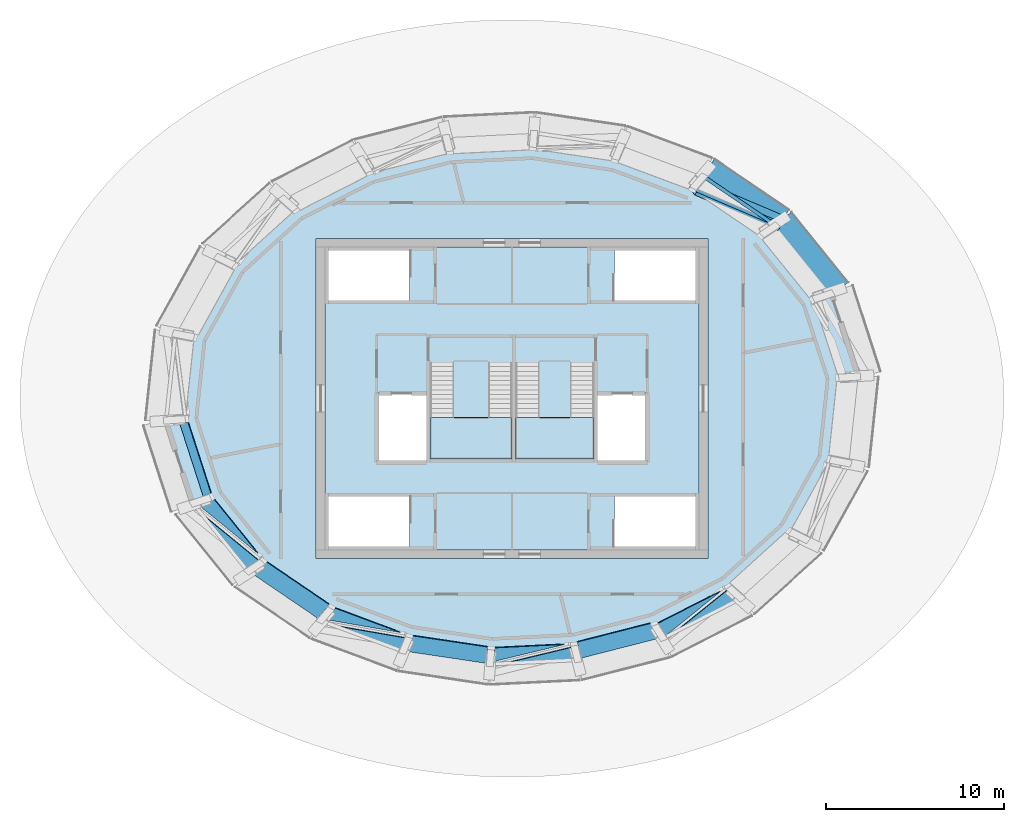
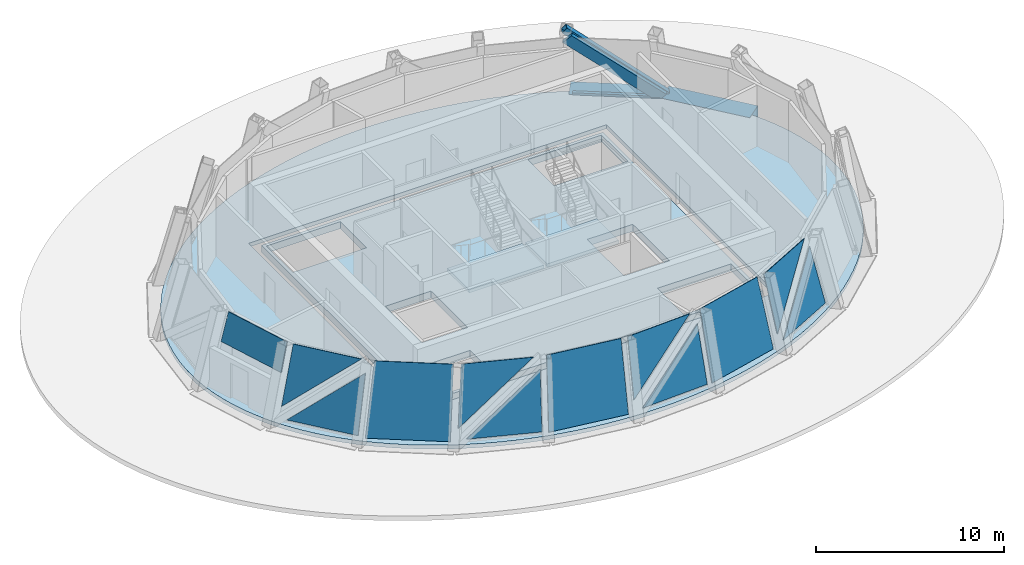
# One storey, part 3 of 9: 12 plates, 4 slabs, 3 members, 2 beams, 3 elements without a shape of their own.
"""IFC4 building model written with IfcOpenShell, lengths in metres."""

from ifc_helpers import new_model, si_unit, direction, frame, origin, origin_2d, place, context, subcontext, project, spatial, polyline, rectangle, hollow_rectangle, outline, extrude, source, transform, mapped, material, layer, layer_set, material_profile, profile_set, type_object, element, aggregate, save


model = new_model("IFC4")

# Units and contexts
model_context = context("Model", 3, precision=1e-05, world=origin(), true_north=direction((0.0, 1.0)))
body_context = subcontext(model_context, "Body", "Model", "MODEL_VIEW")
ifc_project = project(units=[si_unit("LENGTHUNIT", "METRE"), si_unit("AREAUNIT", "SQUARE_METRE"), si_unit("VOLUMEUNIT", "CUBIC_METRE"), si_unit("PLANEANGLEUNIT", "RADIAN"), si_unit("MASSUNIT", "GRAM", prefix="KILO")], contexts=[model_context])

# Site, building, storey
site_placement = place(None, origin())
site = spatial("IfcSite", under=ifc_project, at=site_placement, CompositionType="ELEMENT")
building_placement = place(site_placement, origin())
building = spatial("IfcBuilding", under=site, at=building_placement, Name="Embergate Tower", CompositionType="ELEMENT")
storey_placement = place(building_placement, frame((0.0, 0.0, 352.0)))
storey = spatial("IfcBuildingStorey", under=building, at=storey_placement, Name="L80", CompositionType="ELEMENT", Elevation=352.0)

# Beams
ifc_material_1 = material(Name="Concrete C70", Category="concrete")
ifc_material_profile_1 = material_profile(ifc_material_1, rectangle(XDim=1.199951171875, YDim=1.5, at=origin_2d()), Name="RC 1200x1500")
ifc_profile_set_1 = profile_set([ifc_material_profile_1], Name="Concrete C70")
beam_type = type_object("IfcBeamType", Name="Crown cornice beam RC 1200x1500", PredefinedType="BEAM", material=ifc_profile_set_1)
shared_shape_1 = source(origin(), body_context, "Body", "SweptSolid", [
    extrude(rectangle(XDim=1.199951171875, YDim=1.5, at=origin_2d()), origin(), (0.0, 0.0, 1.0), 5.083740234375),
])
beam_1_placement = place(storey_placement, frame((18.406005859375, 6.12890625, -0.75), z_axis=(-0.628290157372, 0.777979098787, 0.0), x_axis=(-0.777979098787, -0.628290157372, 0.0)))
element("IfcBeam", 1, at=beam_1_placement, inside=storey, type_object=beam_type, Name="CRN-L80-RB01", PredefinedType="BEAM", context=body_context, shape_type="MappedRepresentation", body=[
    mapped(shared_shape_1, transform((0.0, 0.0, 0.0))),
])
shared_shape_2 = source(origin(), body_context, "Body", "SweptSolid", [
    extrude(rectangle(XDim=1.199951171875, YDim=1.5, at=origin_2d()), origin(), (0.0, 0.0, 1.0), 5.072998046875),
])
beam_2_placement = place(storey_placement, frame((15.2119140625, 10.083984375, -0.75), z_axis=(-0.826876373411, 0.562383732958, 0.0), x_axis=(-0.562383732958, -0.826876373411, 0.0)))
element("IfcBeam", 2, at=beam_2_placement, inside=storey, type_object=beam_type, Name="CRN-L80-RB02", PredefinedType="BEAM", context=body_context, shape_type="MappedRepresentation", body=[
    mapped(shared_shape_2, transform((0.0, 0.0, 0.0))),
])

# Member
ifc_material_2 = material(Name="Steel Q355D", Category="steel")
ifc_material_profile_2 = material_profile(ifc_material_2, hollow_rectangle(XDim=0.39990234375, YDim=0.39990234375, WallThickness=0.02197265625, at=origin_2d()), Name="BOX 400x400x22")
ifc_profile_set_2 = profile_set([ifc_material_profile_2], Name="Steel Q355 grade D")
member_type_1 = type_object("IfcMemberType", Name="Glass point brace BOX 400x400x22", PredefinedType="BRACE", material=ifc_profile_set_2)
shared_shape_3 = source(origin(), body_context, "Body", "SweptSolid", [
    extrude(hollow_rectangle(XDim=0.39990234375, YDim=0.39990234375, WallThickness=0.02197265625, at=origin_2d()), origin(), (0.0, 0.0, 1.0), 7.2421875),
])
member_1_placement = place(storey_placement, frame((15.31689453125, 10.0390625, -0.096923828125), z_axis=(-0.701289101078, 0.296858713844, 0.648126917143), x_axis=(-0.389817608107, -0.920892085106, 0.0)))
element("IfcMember", 3, at=member_1_placement, inside=storey, type_object=member_type_1, Name="CRN-L80-DG02", PredefinedType="BRACE", context=body_context, shape_type="MappedRepresentation", body=[
    mapped(shared_shape_3, transform((0.0, 0.0, 0.0))),
])

# Curtain wall, members
ifc_material_3 = material(Name="Aluminium and glass", Category="aluminium")
curtain_wall_type = type_object("IfcCurtainWallType", Name="Crown facet glazing", PredefinedType="NOTDEFINED", material=ifc_material_3)
curtain_wall_placement = place(storey_placement, origin())
curtain_wall = element("IfcCurtainWall", 4, at=curtain_wall_placement, inside=storey, type_object=curtain_wall_type, Name="Crown facet glazing L80", ObjectType="CROWN FACET GLAZING", PredefinedType="USERDEFINED")
ifc_material_4 = material(Name="Aluminium, thermally broken", Category="aluminium")
ifc_material_profile_3 = material_profile(ifc_material_4, rectangle(XDim=0.199951171875, YDim=0.139892578125, at=origin_2d()), Name="AL 140x200")
ifc_profile_set_3 = profile_set([ifc_material_profile_3], Name="Aluminium, thermally broken")
member_type_2 = type_object("IfcMemberType", Name="Crown facet transom", PredefinedType="USERDEFINED", material=ifc_profile_set_3)
shared_shape_4 = source(origin(), body_context, "Body", "SweptSolid", [
    extrude(rectangle(XDim=0.199951171875, YDim=0.139892578125, at=origin_2d()), origin(), (0.0, 0.0, 1.0), 4.660400390625),
])
member_2_placement = place(storey_placement, frame((14.73486328125, 9.7685546875, 0.070068359375), z_axis=(-0.826897270808, 0.562353006153, 0.0), x_axis=(-0.562353006153, -0.826897270808, 0.0)))
member_2 = element("IfcMember", 5, at=member_2_placement, type_object=member_type_2, Name="CW transom 3.1", ObjectType="TRANSOM", PredefinedType="USERDEFINED", context=body_context, shape_type="MappedRepresentation", body=[
    mapped(shared_shape_4, transform((0.0, 0.0, 0.0))),
])
ifc_material_profile_4 = material_profile(ifc_material_4, rectangle(XDim=0.199951171875, YDim=0.760009765625, at=origin_2d()), Name="AL 760x200")
ifc_profile_set_4 = profile_set([ifc_material_profile_4], Name="Aluminium, thermally broken")
member_type_3 = type_object("IfcMemberType", Name="Crown diagonal cover mullion", PredefinedType="MULLION", material=ifc_profile_set_4)
shared_shape_5 = source(origin(), body_context, "Body", "SweptSolid", [
    extrude(rectangle(XDim=0.199951171875, YDim=0.760009765625, at=origin_2d()), origin(), (0.0, 0.0, 1.0), 6.618896484375),
])
member_3_placement = place(storey_placement, frame((14.830078125, 9.701904296875, 0.076904296875), z_axis=(-0.706515901172, 0.302576482057, 0.639752103473), x_axis=(0.547978548487, 0.805946721975, 0.223985248926)))
member_3 = element("IfcMember", 6, at=member_3_placement, type_object=member_type_3, Name="CW diagonal mullion 3", PredefinedType="MULLION", context=body_context, shape_type="MappedRepresentation", body=[
    mapped(shared_shape_5, transform((0.0, 0.0, 0.0))),
])

# Slab
ifc_material_5 = material(Name="Concrete C50", Category="concrete")
ifc_layer_1 = layer(ifc_material_5, 0.25)
ifc_layer_set_1 = layer_set([ifc_layer_1], Name="Concrete C50")
slab_type_1 = type_object("IfcSlabType", Name="Crown floor slab C50 250", PredefinedType="FLOOR", material=ifc_layer_set_1)
shared_shape_6 = source(origin(), body_context, "Body", "SweptSolid", [
    extrude(outline(polyline([(0.0, 0.0), (0.8359375, 0.0), (1.669921875, 0.028076171875), (2.5048828125, 0.08203125), (3.3359375, 0.1640625), (4.161865234375, 0.27294921875), (4.989013671875, 0.409912109375), (5.807861328125, 0.573974609375), (6.616943359375, 0.764892578125), (7.427978515625, 0.986083984375), (8.224853515625, 1.235107421875), (9.008056640625, 1.509033203125), (9.7919921875, 1.818115234375), (10.556884765625, 2.152099609375), (11.302001953125, 2.512939453125), (12.0458984375, 2.909912109375), (12.765869140625, 3.3330078125), (13.4599609375, 3.781005859375), (14.14892578125, 4.27099609375), (14.807861328125, 4.783935546875), (15.432861328125, 5.322021484375), (16.0478515625, 5.903076171875), (16.6240234375, 6.507080078125), (17.159912109375, 7.133056640625), (17.675048828125, 7.803955078125), (18.14501953125, 8.493896484375), (18.56689453125, 9.201904296875), (18.955078125, 9.950927734375), (19.2900390625, 10.715087890625), (19.572021484375, 11.491943359375), (19.804931640625, 12.299072265625), (19.97998046875, 13.114990234375), (20.097900390625, 13.93701171875), (20.157958984375, 14.77001953125), (20.157958984375, 15.60400390625), (20.097900390625, 16.43701171875), (19.97998046875, 17.259033203125), (19.804931640625, 18.074951171875), (19.572021484375, 18.882080078125), (19.2900390625, 19.658935546875), (18.955078125, 20.423095703125), (18.56689453125, 21.172119140625), (18.14501953125, 21.880126953125), (17.675048828125, 22.570068359375), (17.159912109375, 23.240966796875), (16.6240234375, 23.866943359375), (16.0478515625, 24.470947265625), (15.432861328125, 25.052001953125), (14.807861328125, 25.590087890625), (14.14892578125, 26.10302734375), (13.4599609375, 26.593017578125), (12.765869140625, 27.041015625), (12.0458984375, 27.464111328125), (11.302001953125, 27.861083984375), (10.556884765625, 28.221923828125), (9.7919921875, 28.555908203125), (9.008056640625, 28.864990234375), (8.224853515625, 29.138916015625), (7.427978515625, 29.387939453125), (6.616943359375, 29.609130859375), (5.807861328125, 29.800048828125), (4.989013671875, 29.964111328125), (4.161865234375, 30.10107421875), (3.3359375, 30.2099609375), (2.5048828125, 30.2919921875), (1.669921875, 30.345947265625), (0.8359375, 30.3740234375), (0.0, 30.3740234375), (-0.833984375, 30.345947265625), (-1.6689453125, 30.2919921875), (-2.5, 30.2099609375), (-3.325927734375, 30.10107421875), (-4.153076171875, 29.964111328125), (-4.971923828125, 29.800048828125), (-5.781005859375, 29.609130859375), (-6.592041015625, 29.387939453125), (-7.388916015625, 29.138916015625), (-8.172119140625, 28.864990234375), (-8.9560546875, 28.555908203125), (-9.720947265625, 28.221923828125), (-10.466064453125, 27.861083984375), (-11.2099609375, 27.464111328125), (-11.929931640625, 27.041015625), (-12.6240234375, 26.593017578125), (-13.31298828125, 26.10302734375), (-13.971923828125, 25.590087890625), (-14.596923828125, 25.052001953125), (-15.2119140625, 24.470947265625), (-15.7880859375, 23.866943359375), (-16.323974609375, 23.240966796875), (-16.839111328125, 22.570068359375), (-17.30908203125, 21.880126953125), (-17.73095703125, 21.172119140625), (-18.119140625, 20.423095703125), (-18.4541015625, 19.658935546875), (-18.736083984375, 18.882080078125), (-18.968994140625, 18.074951171875), (-19.14404296875, 17.259033203125), (-19.261962890625, 16.43701171875), (-19.322021484375, 15.60400390625), (-19.322021484375, 14.77001953125), (-19.261962890625, 13.93701171875), (-19.14404296875, 13.114990234375), (-18.968994140625, 12.299072265625), (-18.736083984375, 11.491943359375), (-18.4541015625, 10.715087890625), (-18.119140625, 9.950927734375), (-17.73095703125, 9.201904296875), (-17.30908203125, 8.493896484375), (-16.839111328125, 7.803955078125), (-16.323974609375, 7.133056640625), (-15.7880859375, 6.507080078125), (-15.2119140625, 5.903076171875), (-14.596923828125, 5.322021484375), (-13.971923828125, 4.783935546875), (-13.31298828125, 4.27099609375), (-12.6240234375, 3.781005859375), (-11.929931640625, 3.3330078125), (-11.2099609375, 2.909912109375), (-10.466064453125, 2.512939453125), (-9.720947265625, 2.152099609375), (-8.9560546875, 1.818115234375), (-8.172119140625, 1.509033203125), (-7.388916015625, 1.235107421875), (-6.592041015625, 0.986083984375), (-5.781005859375, 0.764892578125), (-4.971923828125, 0.573974609375), (-4.153076171875, 0.409912109375), (-3.325927734375, 0.27294921875), (-2.5, 0.1640625), (-1.6689453125, 0.08203125), (-0.833984375, 0.028076171875), (0.0, 0.0)]), holes=[polyline([(-10.58203125, 6.18701171875), (-10.58203125, 24.18701171875), (11.41796875, 24.18701171875), (11.41796875, 6.18701171875), (-10.58203125, 6.18701171875)])]), origin(), (0.0, 0.0, 1.0), 0.25),
])
slab_1_placement = place(storey_placement, frame((-0.41796875, -15.18701171875, -0.25)))
element("IfcSlab", 7, at=slab_1_placement, inside=storey, type_object=slab_type_1, Name="SLB-L80-00", PredefinedType="FLOOR", context=body_context, shape_type="MappedRepresentation", body=[
    mapped(shared_shape_6, transform((0.0, 0.0, 0.0))),
])

# Plate
ifc_material_6 = material(Name="Triple glazing, low-emissivity coating", Category="glass")
ifc_layer_2 = layer(ifc_material_6, 0.0400390625)
ifc_layer_set_2 = layer_set([ifc_layer_2], Name="Triple glazing, low-emissivity coating")
plate_type = type_object("IfcPlateType", Name="Crown facet glazing unit", PredefinedType="CURTAIN_PANEL", material=ifc_layer_set_2)
shared_shape_7 = source(origin(), body_context, "Body", "SweptSolid", [
    extrude(outline(polyline([(0.0, 0.0), (1.813232421875, 0.0), (1.8232421875, 4.194091796875), (0.0107421875, 4.315673828125), (0.0, 0.0)])), origin(), (0.0, 0.0, -1.0), 0.0400390625),
])
plate_1_placement = place(storey_placement, frame((-17.351806640625, -5.478759765625, 2.60009765625), z_axis=(-0.92008218789, -0.297282492634, 0.255091918925), x_axis=(0.241971760647, 0.080791829384, 0.96691382623)))
plate_1 = element("IfcPlate", 8, at=plate_1_placement, type_object=plate_type, Name="CW panel 12.1", PredefinedType="CURTAIN_PANEL", context=body_context, shape_type="MappedRepresentation", body=[
    mapped(shared_shape_7, transform((0.0, 0.0, 0.0))),
])

shared_shape_8 = source(origin(), body_context, "Body", "SweptSolid", [
    extrude(outline(polyline([(0.0, 0.0), (4.06982421875, 0.0), (4.15185546875, 3.61767578125), (0.0, 0.0)])), origin(), (0.0, 0.0, -1.0), 0.0400390625),
])
plate_2_placement = place(storey_placement, frame((-17.541748046875, -6.39453125, 0.14892578125), z_axis=(-0.755275929898, -0.609916324606, 0.239917374726), x_axis=(0.62826589089, -0.777998695593, 0.0)))
plate_2 = element("IfcPlate", 9, at=plate_2_placement, type_object=plate_type, Name="CW panel 13.1", PredefinedType="CURTAIN_PANEL", context=body_context, shape_type="MappedRepresentation", body=[
    mapped(shared_shape_8, transform((0.0, 0.0, 0.0))),
])

shared_shape_9 = source(origin(), body_context, "Body", "SweptSolid", [
    extrude(outline(polyline([(0.0, 0.0), (5.59326171875, 0.0), (2.662841796875, 2.55419921875), (0.0, 0.0)])), origin(), (0.0, 0.0, -1.0), 0.0400390625),
])
plate_3_placement = place(storey_placement, frame((-17.6181640625, -5.97265625, 0.793212890625), z_axis=(-0.755363014351, -0.609716344352, 0.240151402202), x_axis=(0.596283055465, -0.487510829844, 0.637792841407)))
plate_3 = element("IfcPlate", 10, at=plate_3_placement, type_object=plate_type, Name="CW panel 13.2", PredefinedType="CURTAIN_PANEL", context=body_context, shape_type="MappedRepresentation", body=[
    mapped(shared_shape_9, transform((0.0, 0.0, 0.0))),
])

shared_shape_10 = source(origin(), body_context, "Body", "SweptSolid", [
    extrude(outline(polyline([(0.0, 0.0), (4.53564453125, 0.0), (4.643310546875, 4.462646484375), (0.408447265625, 4.46240234375), (0.0, 0.0)])), origin(), (0.0, 0.0, -1.0), 0.0400390625),
])
plate_4_placement = place(storey_placement, frame((-14.669921875, -9.79150390625, 0.0126953125), z_axis=(-0.548085924803, -0.805893895837, 0.223912589385), x_axis=(0.826888808746, -0.562365448759, -3.416215e-06)))
plate_4 = element("IfcPlate", 11, at=plate_4_placement, type_object=plate_type, Name="CW panel 14.1", PredefinedType="CURTAIN_PANEL", context=body_context, shape_type="MappedRepresentation", body=[
    mapped(shared_shape_10, transform((0.0, 0.0, 0.0))),
])

shared_shape_11 = source(origin(), body_context, "Body", "SweptSolid", [
    extrude(outline(polyline([(0.0, 0.0), (4.0771484375, 0.0), (4.11279296875, 3.624755859375), (0.0, 0.0)])), origin(), (0.0, 0.0, -1.0), 0.0400390625),
])
plate_5_placement = place(storey_placement, frame((-10.1494140625, -12.7294921875, 0.147705078125), z_axis=(-0.341503250427, -0.915610239792, 0.212210788453), x_axis=(0.936950298857, -0.349462641026, 0.0)))
plate_5 = element("IfcPlate", 12, at=plate_5_placement, type_object=plate_type, Name="CW panel 15.1", PredefinedType="CURTAIN_PANEL", context=body_context, shape_type="MappedRepresentation", body=[
    mapped(shared_shape_11, transform((0.0, 0.0, 0.0))),
])

shared_shape_12 = source(origin(), body_context, "Body", "SweptSolid", [
    extrude(outline(polyline([(0.0, 0.0), (5.583740234375, 0.0), (2.654541015625, 2.58203125), (0.0, 0.0)])), origin(), (0.0, 0.0, -1.0), 0.0400390625),
])
plate_6_placement = place(storey_placement, frame((-10.47412109375, -12.41552734375, 0.766357421875), z_axis=(-0.341763925336, -0.915443449632, 0.21251049354), x_axis=(0.751943726786, -0.130731000296, 0.646134689758)))
plate_6 = element("IfcPlate", 13, at=plate_6_placement, type_object=plate_type, Name="CW panel 15.2", PredefinedType="CURTAIN_PANEL", context=body_context, shape_type="MappedRepresentation", body=[
    mapped(shared_shape_12, transform((0.0, 0.0, 0.0))),
])

shared_shape_13 = source(origin(), body_context, "Body", "SweptSolid", [
    extrude(outline(polyline([(0.0, 0.0), (4.556884765625, 0.0), (4.49560546875, 4.453369140625), (0.2392578125, 4.453369140625), (0.0, 0.0)])), origin(), (0.0, 0.0, -1.0), 0.0400390625),
])
plate_7_placement = place(storey_placement, frame((-5.938232421875, -14.206298828125, 0.013427734375), z_axis=(-0.144245480491, -0.967889613878, 0.205871165309), x_axis=(0.989076604882, -0.147402407264, 2.77388e-06)))
plate_7 = element("IfcPlate", 14, at=plate_7_placement, type_object=plate_type, Name="CW panel 16.1", PredefinedType="CURTAIN_PANEL", context=body_context, shape_type="MappedRepresentation", body=[
    mapped(shared_shape_13, transform((0.0, 0.0, 0.0))),
])

shared_shape_14 = source(origin(), body_context, "Body", "SweptSolid", [
    extrude(outline(polyline([(0.0, 0.0), (4.08837890625, 0.0), (3.941162109375, 3.635986328125), (0.0, 0.0)])), origin(), (0.0, 0.0, -1.0), 0.0400390625),
])
plate_8_placement = place(storey_placement, frame((-0.577880859375, -14.923095703125, 0.147216796875), z_axis=(0.047987576168, -0.977637270376, 0.204749994151), x_axis=(0.998797491321, 0.04902623104, 0.0)))
plate_8 = element("IfcPlate", 15, at=plate_8_placement, type_object=plate_type, Name="CW panel 17.1", PredefinedType="CURTAIN_PANEL", context=body_context, shape_type="MappedRepresentation", body=[
    mapped(shared_shape_14, transform((0.0, 0.0, 0.0))),
])

shared_shape_15 = source(origin(), body_context, "Body", "SweptSolid", [
    extrude(outline(polyline([(0.0, 0.0), (5.474853515625, 0.0), (2.59033203125, 2.6611328125), (0.0, 0.0)])), origin(), (0.0, 0.0, -1.0), 0.0400390625),
])
plate_9_placement = place(storey_placement, frame((-1.029296875, -14.774169921875, 0.744384765625), z_axis=(0.048041913412, -0.977643804498, 0.204706047989), x_axis=(0.727299053405, 0.174712304797, 0.663710552476)))
plate_9 = element("IfcPlate", 16, at=plate_9_placement, type_object=plate_type, Name="CW panel 17.2", PredefinedType="CURTAIN_PANEL", context=body_context, shape_type="MappedRepresentation", body=[
    mapped(shared_shape_15, transform((0.0, 0.0, 0.0))),
])

shared_shape_16 = source(origin(), body_context, "Body", "SweptSolid", [
    extrude(outline(polyline([(0.0, 0.0), (4.553466796875, 0.0), (4.2587890625, 4.454345703125), (0.005126953125, 4.45458984375), (0.0, 0.0)])), origin(), (0.0, 0.0, -1.0), 0.0400390625),
])
plate_10_placement = place(storey_placement, frame((3.884765625, -14.58740234375, 0.007080078125), z_axis=(0.241870810255, -0.947640614547, 0.208508457403), x_axis=(0.968937646757, 0.247305148866, -6.380823e-06)))
plate_10 = element("IfcPlate", 17, at=plate_10_placement, type_object=plate_type, Name="CW panel 18.1", PredefinedType="CURTAIN_PANEL", context=body_context, shape_type="MappedRepresentation", body=[
    mapped(shared_shape_16, transform((0.0, 0.0, 0.0))),
])

shared_shape_17 = source(origin(), body_context, "Body", "SweptSolid", [
    extrude(outline(polyline([(0.0, 0.0), (4.09326171875, 0.0), (3.780517578125, 3.638671875), (0.0, 0.0)])), origin(), (0.0, 0.0, -1.0), 0.0400390625),
])
plate_11_placement = place(storey_placement, frame((9.079833984375, -13.19482421875, 0.147705078125), z_axis=(0.443663766234, -0.869397019413, 0.217511574789), x_axis=(0.89072293821, 0.454546639353, 0.0)))
plate_11 = element("IfcPlate", 18, at=plate_11_placement, type_object=plate_type, Name="CW panel 19.1", PredefinedType="CURTAIN_PANEL", context=body_context, shape_type="MappedRepresentation", body=[
    mapped(shared_shape_17, transform((0.0, 0.0, 0.0))),
])

shared_shape_18 = source(origin(), body_context, "Body", "SweptSolid", [
    extrude(outline(polyline([(0.0, 0.0), (5.37158203125, 0.0), (2.533203125, 2.731689453125), (0.0, 0.0)])), origin(), (0.0, 0.0, -1.0), 0.0400390625),
])
plate_12_placement = place(storey_placement, frame((8.635009765625, -13.3212890625, 0.755615234375), z_axis=(0.443711048071, -0.869395389623, 0.2174216234), x_axis=(0.573225278856, 0.461825409012, 0.676853064758)))
plate_12 = element("IfcPlate", 19, at=plate_12_placement, type_object=plate_type, Name="CW panel 19.2", PredefinedType="CURTAIN_PANEL", context=body_context, shape_type="MappedRepresentation", body=[
    mapped(shared_shape_18, transform((0.0, 0.0, 0.0))),
])

aggregate(curtain_wall, [member_2, member_3, plate_1, plate_2, plate_3, plate_4, plate_5, plate_6, plate_7, plate_8, plate_9, plate_10, plate_11, plate_12])

# Stair, slab
ifc_material_7 = material(Name="Exit stair")
stair_type = type_object("IfcStairType", Name="Exit stair", PredefinedType="HALF_TURN_STAIR", material=ifc_material_7)
stair_1_placement = place(storey_placement, origin())
stair_1 = element("IfcStair", 20, at=stair_1_placement, inside=storey, type_object=stair_type, Name="L80 Exit stair 1", PredefinedType="HALF_TURN_STAIR")
ifc_material_8 = material(Name="Concrete C40", Category="concrete")
ifc_layer_3 = layer(ifc_material_8, 0.199951171875)
ifc_layer_set_3 = layer_set([ifc_layer_3], Name="Concrete C40")
slab_type_2 = type_object("IfcSlabType", Name="Stair landing reinforced concrete", PredefinedType="LANDING", material=ifc_layer_set_3)
shared_shape_19 = source(origin(), body_context, "Body", "SweptSolid", [
    extrude(outline(polyline([(0.0, 0.0), (4.400146484375, 0.0), (4.400146484375, 2.329833984375), (0.0, 2.329833984375), (0.0, 0.0)])), origin(), (0.0, 0.0, 1.0), 0.199951171875),
])
slab_2_placement = place(storey_placement, frame((0.199951171875, -3.39990234375, 2.050048828125)))
slab_2 = element("IfcSlab", 21, at=slab_2_placement, type_object=slab_type_2, Name="ST1 landing 1", PredefinedType="LANDING", context=body_context, shape_type="MappedRepresentation", body=[
    mapped(shared_shape_19, transform((0.0, 0.0, 0.0))),
])
aggregate(stair_1, [slab_2])

stair_2_placement = place(storey_placement, origin())
stair_2 = element("IfcStair", 22, at=stair_2_placement, inside=storey, type_object=stair_type, Name="L80 Exit stair 3", PredefinedType="HALF_TURN_STAIR")
shared_shape_20 = source(origin(), body_context, "Body", "SweptSolid", [
    extrude(outline(polyline([(0.0, 0.0), (4.60009765625, 0.0), (4.60009765625, 2.329833984375), (0.0, 2.329833984375), (0.0, 0.0)])), origin(), (0.0, 0.0, 1.0), 0.199951171875),
])
slab_3_placement = place(storey_placement, frame((-4.60009765625, -3.39990234375, 2.050048828125)))
slab_3 = element("IfcSlab", 23, at=slab_3_placement, type_object=slab_type_2, Name="ST3 landing 1", PredefinedType="LANDING", context=body_context, shape_type="MappedRepresentation", body=[
    mapped(shared_shape_20, transform((0.0, 0.0, 0.0))),
])
aggregate(stair_2, [slab_3])

# Slab
ifc_layer_4 = layer(ifc_material_8, 0.449951171875)
ifc_layer_set_4 = layer_set([ifc_layer_4], Name="Concrete C40")
slab_type_3 = type_object("IfcSlabType", Name="Core floor slab 450 reinforced concrete", PredefinedType="FLOOR", material=ifc_layer_set_4)
shared_shape_21 = source(origin(), body_context, "Body", "SweptSolid", [
    extrude(outline(polyline([(0.0, 0.0), (21.0, 0.0), (21.0, 17.0), (0.0, 17.0), (0.0, 0.0)]), holes=[polyline([(0.199951171875, 0.199951171875), (0.199951171875, 3.0), (4.739990234375, 3.0), (4.739990234375, 0.199951171875), (0.199951171875, 0.199951171875)]), polyline([(16.260009765625, 0.199951171875), (16.260009765625, 3.0), (20.800048828125, 3.0), (20.800048828125, 0.199951171875), (16.260009765625, 0.199951171875)]), polyline([(2.89990234375, 4.89990234375), (2.89990234375, 8.800048828125), (5.699951171875, 8.800048828125), (5.699951171875, 4.89990234375), (2.89990234375, 4.89990234375)]), polyline([(15.300048828125, 4.89990234375), (15.300048828125, 8.800048828125), (18.10009765625, 8.800048828125), (18.10009765625, 4.89990234375), (15.300048828125, 4.89990234375)]), polyline([(0.199951171875, 14.0), (0.199951171875, 16.800048828125), (4.739990234375, 16.800048828125), (4.739990234375, 14.0), (0.199951171875, 14.0)]), polyline([(16.260009765625, 14.0), (16.260009765625, 16.800048828125), (20.800048828125, 16.800048828125), (20.800048828125, 14.0), (16.260009765625, 14.0)])]), origin(), (0.0, 0.0, 1.0), 0.449951171875),
])
slab_4_placement = place(storey_placement, frame((-10.5, -8.5, -0.449951171875)))
element("IfcSlab", 24, at=slab_4_placement, inside=storey, type_object=slab_type_3, Name="Core floor slab", PredefinedType="FLOOR", context=body_context, shape_type="MappedRepresentation", body=[
    mapped(shared_shape_21, transform((0.0, 0.0, 0.0))),
])

save(model, "model.ifc")
